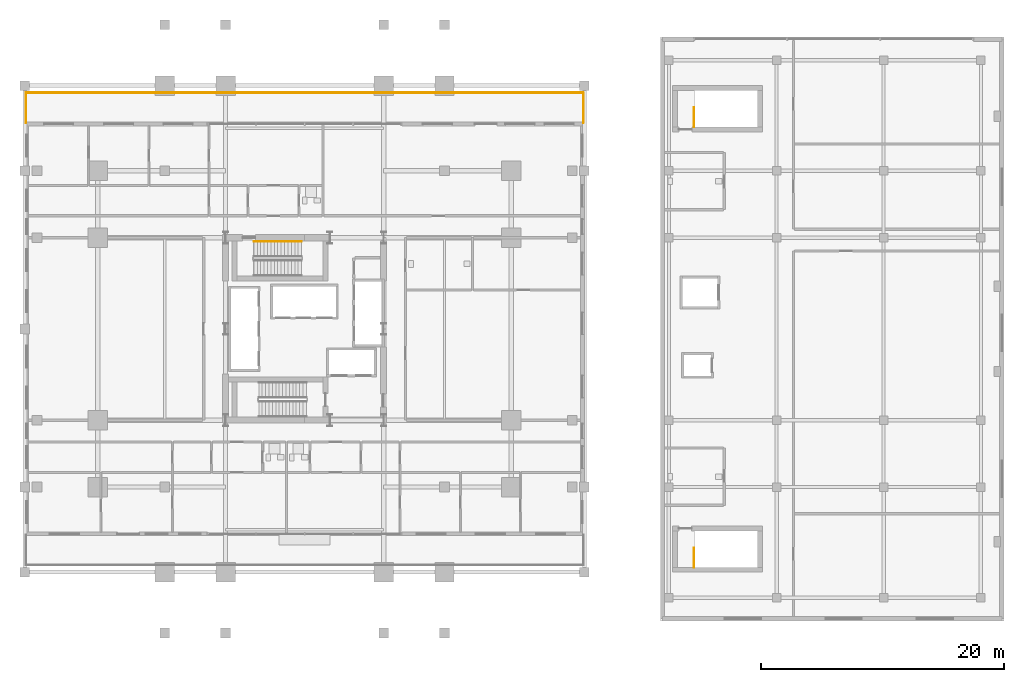
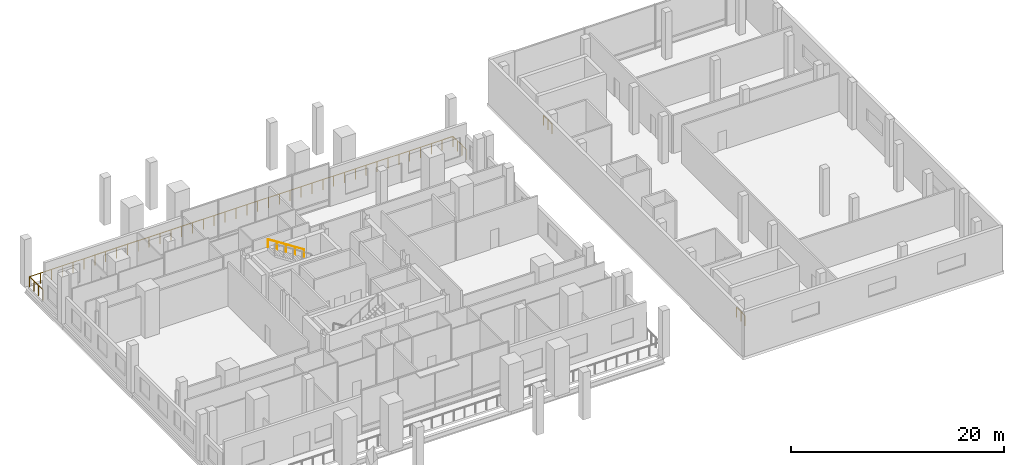
# One storey, part 24 of 25: 4 railings.
"""IFC4 building model written with IfcOpenShell, lengths in metres."""

import ifcopenshell
import ifcopenshell.guid

model = None  # the IFC model being written
_history = None  # IfcOwnerHistory: only IFC2X3 demands one
_inside = {}  # id of a spatial element -> (the spatial element, [elements in it])
_under = {}  # id of a project, library or spatial element -> (it, [spatial elements below it])
_declared = {}  # id of a project -> (the project, [libraries it declares])
_typed = {}  # id of a type object -> (the type object, [elements of that type])
_made_of = {}  # id of a material, layer set ... -> (it, [elements and type objects made of it])


def new_model(schema):
    """Start an empty IFC model of exactly this schema.

    Asked for "IFC4X3", IfcOpenShell would pick the latest addendum, in which some entities
    have other attributes; the version numbers below select the first issue.
    IFC2X3 requires an IfcOwnerHistory on every rooted entity: one is made here for all.
    """
    global model, _history
    if schema == "IFC4X3":
        model = ifcopenshell.file(schema_version=(4, 3, 0, 0))
    else:
        model = ifcopenshell.file(schema=schema)
    _inside.clear()
    _under.clear()
    _declared.clear()
    _typed.clear()
    _made_of.clear()
    _history = None
    if model.schema == "IFC2X3":
        org = make("IfcOrganization", Name="unknown")
        user = make(
            "IfcPersonAndOrganization",
            ThePerson=make("IfcPerson", FamilyName="unknown"),
            TheOrganization=org,
        )
        app = make(
            "IfcApplication",
            ApplicationDeveloper=org,
            Version="unknown",
            ApplicationFullName="unknown",
            ApplicationIdentifier="unknown",
        )
        _history = make(
            "IfcOwnerHistory",
            OwningUser=user,
            OwningApplication=app,
            ChangeAction="ADDED",
            CreationDate=0,
        )
    return model


def make(cls, **values):
    """One entity of the class cls with the attributes given. An attribute that is None is left unset."""
    return model.create_entity(
        cls, **{name: value for name, value in values.items() if value is not None}
    )


def rooted(cls, **values):
    """An entity with a GlobalId (a new one), such as an element, a storey or a relation."""
    return make(cls, GlobalId=ifcopenshell.guid.new(), OwnerHistory=_history, **values)


def si_unit(unit_type, name, prefix=None):
    """IfcSIUnit, for example si_unit("LENGTHUNIT", "METRE", prefix="MILLI")."""
    return make("IfcSIUnit", UnitType=unit_type, Prefix=prefix, Name=name)


def assignment(units):
    """IfcUnitAssignment: the units of a project."""
    return None if units is None else make("IfcUnitAssignment", Units=units)


def point(xyz):
    """IfcCartesianPoint."""
    return None if xyz is None else make("IfcCartesianPoint", Coordinates=xyz)


def direction(xyz):
    """IfcDirection."""
    return None if xyz is None else make("IfcDirection", DirectionRatios=xyz)


def frame(location, z_axis=None, x_axis=None):
    """IfcAxis2Placement3D, a coordinate frame: its origin and axes. An axis left out is left unset."""
    return make(
        "IfcAxis2Placement3D",
        Location=point(location),
        Axis=direction(z_axis),
        RefDirection=direction(x_axis),
    )


def frame_2d(location, x_axis=None):
    """IfcAxis2Placement2D, a coordinate frame in the plane: its origin and x axis."""
    return make(
        "IfcAxis2Placement2D", Location=point(location), RefDirection=direction(x_axis)
    )


def origin():
    """The frame at (0, 0, 0) with its axes left unset."""
    return frame((0.0, 0.0, 0.0))


def origin_2d():
    """The frame at (0, 0) in the plane with its x axis left unset."""
    return frame_2d((0.0, 0.0))


def place(relative_to, where):
    """IfcLocalPlacement: puts the frame where relative to a parent placement (None: the world)."""
    return make(
        "IfcLocalPlacement", PlacementRelTo=relative_to, RelativePlacement=where
    )


def context(
    kind, dimensions, precision=None, world=None, true_north=None, identifier=None
):
    """IfcGeometricRepresentationContext, for example the 3D "Model" context."""
    return make(
        "IfcGeometricRepresentationContext",
        ContextIdentifier=identifier,
        ContextType=kind,
        CoordinateSpaceDimension=dimensions,
        Precision=precision,
        WorldCoordinateSystem=world,
        TrueNorth=true_north,
    )


def subcontext(parent, identifier, kind, view, scale=None):
    """IfcGeometricRepresentationSubContext, for example "Body" below "Model"."""
    return make(
        "IfcGeometricRepresentationSubContext",
        ContextIdentifier=identifier,
        ContextType=kind,
        ParentContext=parent,
        TargetScale=scale,
        TargetView=view,
    )


def project(units=None, contexts=None):
    """IfcProject with its units and contexts."""
    return rooted(
        "IfcProject",
        Name="project",
        RepresentationContexts=contexts,
        UnitsInContext=assignment(units),
    )


def spatial(cls, under=None, at=None, **own):
    """A site, building, storey or space (cls), placed at a placement, below another one or the project."""
    s = rooted(cls, ObjectPlacement=at, **own)
    if under is not None:
        _under.setdefault(under.id(), (under, []))[1].append(s)
    return s


def profile(cls, at=None, kind="AREA", **sizes):
    """A parametric profile (cls). Its sizes go by their IFC names, for example OverallWidth=200.0."""
    return make(cls, ProfileType=kind, Position=at, **sizes)


def circle(**sizes):
    """IfcCircleProfileDef."""
    return profile("IfcCircleProfileDef", **sizes)


def extrude(swept, where, along, depth):
    """IfcExtrudedAreaSolid: the profile swept, set in the frame where, extruded along a direction by depth."""
    return make(
        "IfcExtrudedAreaSolid",
        SweptArea=swept,
        Position=where,
        ExtrudedDirection=direction(along),
        Depth=depth,
    )


def shape(context_of_items, identifier, shape_type, items):
    """IfcShapeRepresentation: the items that make up one representation, for example the "Body"."""
    return make(
        "IfcShapeRepresentation",
        ContextOfItems=context_of_items,
        RepresentationIdentifier=identifier,
        RepresentationType=shape_type,
        Items=items,
    )


def material(Name=None, Category=None):
    """IfcMaterial."""
    return make("IfcMaterial", Name=Name, Category=Category)


def made_of(thing, what):
    """Note that an element or type object is made of a material, layer set ...; save() writes the relation."""
    if what is not None:
        _made_of.setdefault(what.id(), (what, []))[1].append(thing)
    return thing


def type_object(cls, material=None, **own):
    """A type object (cls), such as IfcWallType, which elements share."""
    return made_of(rooted(cls, **own), material)


def element(
    cls,
    number,
    at=None,
    inside=None,
    cuts=None,
    type_object=None,
    material=None,
    context=None,
    identifier="Body",
    shape_type=None,
    held_by="IfcProductDefinitionShape",
    body=None,
    shapes=None,
    **own,
):
    """One element of the class cls, such as IfcWall. Its Tag is "e" and its number.

    at: its placement. inside: the storey or other place that contains it. cuts: it is an
    opening in that element (IfcRelVoidsElement). A single representation is given by context,
    identifier, shape_type and body (its items); several are given by shapes. held_by: the class
    of the entity that holds the representations. save() writes the other relations.
    """
    e = rooted(cls, Tag="e%d" % number, ObjectPlacement=at, **own)
    if body is not None:
        shapes = [shape(context, identifier, shape_type, body)]
    if shapes is not None:
        e.Representation = make(held_by, Representations=shapes)
    if inside is not None:
        _inside.setdefault(inside.id(), (inside, []))[1].append(e)
    if cuts is not None:
        rooted(
            "IfcRelVoidsElement", RelatingBuildingElement=cuts, RelatedOpeningElement=e
        )
    if type_object is not None:
        _typed.setdefault(type_object.id(), (type_object, []))[1].append(e)
    return made_of(e, material)


def aggregate(whole, parts):
    """IfcRelAggregates: a whole, such as a stair, and the parts it consists of."""
    return rooted("IfcRelAggregates", RelatingObject=whole, RelatedObjects=parts)


def save(model, path):
    """Write the relations noted so far, then the file.

    IfcRelAggregates (storeys below a building ...), IfcRelContainedInSpatialStructure (elements
    in a storey), IfcRelDefinesByType, IfcRelAssociatesMaterial and IfcRelDeclares: one each for
    every whole, place, type object, material and project.
    """
    for whole, parts in _under.values():
        aggregate(whole, parts)
    for where, things in _inside.values():
        rooted(
            "IfcRelContainedInSpatialStructure",
            RelatedElements=things,
            RelatingStructure=where,
        )
    for kind, things in _typed.values():
        rooted("IfcRelDefinesByType", RelatedObjects=things, RelatingType=kind)
    for what, things in _made_of.values():
        rooted("IfcRelAssociatesMaterial", RelatedObjects=things, RelatingMaterial=what)
    for by, libraries in _declared.values():
        rooted("IfcRelDeclares", RelatingContext=by, RelatedDefinitions=libraries)
    model.write(path)


model = new_model("IFC4")

# Units and contexts
model_context = context("Model", 3, precision=1e-05, world=origin(), true_north=direction((0.0, 1.0)))
body_context = subcontext(model_context, "Body", "Model", "MODEL_VIEW")
ifc_project = project(units=[si_unit("LENGTHUNIT", "METRE"), si_unit("AREAUNIT", "SQUARE_METRE"), si_unit("VOLUMEUNIT", "CUBIC_METRE"), si_unit("PLANEANGLEUNIT", "RADIAN"), si_unit("MASSUNIT", "GRAM", prefix="KILO")], contexts=[model_context])

# Site, building, storey
site_placement = place(None, origin())
site = spatial("IfcSite", under=ifc_project, at=site_placement, CompositionType="ELEMENT")
building_placement = place(site_placement, origin())
building = spatial("IfcBuilding", under=site, at=building_placement, Name="Barlavira Tower and Art Museum", CompositionType="ELEMENT")
storey_placement = place(building_placement, frame((0.0, 0.0, 22.199951171875)))
storey = spatial("IfcBuildingStorey", under=building, at=storey_placement, Name="L04", CompositionType="ELEMENT", Elevation=22.199951171875)

# Railings
ifc_material_1 = material(Name="Brushed stainless steel", Category="steel")
railing_type_1 = type_object("IfcRailingType", Name="Interior Void and Landing Guard Railing 1150", PredefinedType="GUARDRAIL", material=ifc_material_1)
railing_1_placement = place(storey_placement, frame((32.02001953125, -19.60009765625, 0.0)))
element("IfcRailing", 1, at=railing_1_placement, inside=storey, type_object=railing_type_1, Name="L04 ST-M1 top well guard 1", PredefinedType="GUARDRAIL", context=body_context, shape_type="SweptSolid", body=[
    extrude(circle(Radius=0.02392578125, at=origin_2d()), frame((0.0, 0.0, 1.1259765625), z_axis=(0.0, 1.0, 0.0), x_axis=(-1.0, 0.0, 0.0)), (0.0, 0.0, 1.0), 1.60009765625),
    extrude(circle(Radius=0.02099609375, at=origin_2d()), origin(), (0.0, 0.0, 1.0), 1.101806640625),
    extrude(circle(Radius=0.02099609375, at=origin_2d()), frame((0.0, 0.800048828125, 0.0)), (0.0, 0.0, 1.0), 1.101806640625),
    extrude(circle(Radius=0.02099609375, at=origin_2d()), frame((0.0, 1.60009765625, 0.0)), (0.0, 0.0, 1.0), 1.101806640625),
])
railing_2_placement = place(storey_placement, frame((32.02001953125, 16.60009765625, 0.0)))
element("IfcRailing", 2, at=railing_2_placement, inside=storey, type_object=railing_type_1, Name="L04 ST-M2 top well guard 1", PredefinedType="GUARDRAIL", context=body_context, shape_type="SweptSolid", body=[
    extrude(circle(Radius=0.02392578125, at=origin_2d()), frame((0.0, 0.0, 1.1259765625), z_axis=(0.0, 1.0, 0.0), x_axis=(-1.0, 0.0, 0.0)), (0.0, 0.0, 1.0), 1.599853515625),
    extrude(circle(Radius=0.02099609375, at=origin_2d()), origin(), (0.0, 0.0, 1.0), 1.101806640625),
    extrude(circle(Radius=0.02099609375, at=origin_2d()), frame((0.0, 0.7998046875, 0.0)), (0.0, 0.0, 1.0), 1.101806640625),
    extrude(circle(Radius=0.02099609375, at=origin_2d()), frame((0.0, 1.599853515625, 0.0)), (0.0, 0.0, 1.0), 1.101806640625),
])
railing_type_2 = type_object("IfcRailingType", Name="Stair Pitch Tubular Steel Handrail 920", PredefinedType="HANDRAIL", material=ifc_material_1)
railing_3_placement = place(storey_placement, frame((-0.25, 7.199951171875, 2.880126953125)))
element("IfcRailing", 3, at=railing_3_placement, inside=storey, type_object=railing_type_2, Name="L04 ST-T2 stair handrail 2", PredefinedType="HANDRAIL", context=body_context, shape_type="SweptSolid", body=[
    extrude(circle(Radius=0.02392578125, at=origin_2d()), frame((0.0, 0.0, 0.8759765625), z_axis=(-0.841171666519, 0.0, 0.540768182723), x_axis=(0.0, -1.0, 0.0)), (0.0, 0.0, 1.0), 4.66015625),
    extrude(circle(Radius=0.02099609375, at=origin_2d()), origin(), (0.0, 0.0, 1.0), 0.851806640625),
    extrude(circle(Radius=0.02099609375, at=origin_2d()), frame((-0.97998046875, 0.0, 0.6298828125)), (0.0, 0.0, 1.0), 0.851806640625),
    extrude(circle(Radius=0.02099609375, at=origin_2d()), frame((-1.9599609375, 0.0, 1.260009765625)), (0.0, 0.0, 1.0), 0.851806640625),
    extrude(circle(Radius=0.02099609375, at=origin_2d()), frame((-2.93994140625, 0.0, 1.89013671875)), (0.0, 0.0, 1.0), 0.851806640625),
    extrude(circle(Radius=0.02099609375, at=origin_2d()), frame((-3.919921875, 0.0, 2.52001953125)), (0.0, 0.0, 1.0), 0.851806640625),
])
ifc_material_2 = material(Name="Laminated safety glass and stainless steel", Category="steel")
railing_type_3 = type_object("IfcRailingType", Name="Terrace and Wind-Floor Laminated Glass Balustrade 1200", PredefinedType="BALUSTRADE", material=ifc_material_2)
railing_4_placement = place(storey_placement, frame((-22.919921875, 16.949951171875, 0.0)))
element("IfcRailing", 4, at=railing_4_placement, inside=storey, type_object=railing_type_3, Name="L04 North Cascade Terrace Balustrade", PredefinedType="BALUSTRADE", context=body_context, shape_type="SweptSolid", body=[
    extrude(circle(Radius=0.02392578125, at=origin_2d()), frame((0.0, 0.0, 1.17578125), z_axis=(0.0, 1.0, 0.0), x_axis=(-1.0, 0.0, 0.0)), (0.0, 0.0, 1.0), 2.469970703125),
    extrude(circle(Radius=0.02392578125, at=origin_2d()), frame((0.0, 2.469970703125, 1.17578125), z_axis=(1.0, 0.0, 0.0), x_axis=(0.0, 1.0, 0.0)), (0.0, 0.0, 1.0), 45.83984375),
    extrude(circle(Radius=0.02392578125, at=origin_2d()), frame((45.83984375, 2.469970703125, 1.17578125), z_axis=(0.0, -1.0, 0.0), x_axis=(1.0, 0.0, 0.0)), (0.0, 0.0, 1.0), 2.469970703125),
    extrude(circle(Radius=0.02099609375, at=origin_2d()), origin(), (0.0, 0.0, 1.0), 1.15185546875),
    extrude(circle(Radius=0.02099609375, at=origin_2d()), frame((0.0, 0.8232421875, 0.0)), (0.0, 0.0, 1.0), 1.15185546875),
    extrude(circle(Radius=0.02099609375, at=origin_2d()), frame((0.0, 1.646728515625, 0.0)), (0.0, 0.0, 1.0), 1.15185546875),
    extrude(circle(Radius=0.02099609375, at=origin_2d()), frame((0.0, 2.469970703125, 0.0)), (0.0, 0.0, 1.0), 1.15185546875),
    extrude(circle(Radius=0.02099609375, at=origin_2d()), frame((1.17529296875, 2.469970703125, 0.0)), (0.0, 0.0, 1.0), 1.15185546875),
    extrude(circle(Radius=0.02099609375, at=origin_2d()), frame((2.350830078125, 2.469970703125, 0.0)), (0.0, 0.0, 1.0), 1.15185546875),
    extrude(circle(Radius=0.02099609375, at=origin_2d()), frame((3.526123046875, 2.469970703125, 0.0)), (0.0, 0.0, 1.0), 1.15185546875),
    extrude(circle(Radius=0.02099609375, at=origin_2d()), frame((4.701416015625, 2.469970703125, 0.0)), (0.0, 0.0, 1.0), 1.15185546875),
    extrude(circle(Radius=0.02099609375, at=origin_2d()), frame((5.876953125, 2.469970703125, 0.0)), (0.0, 0.0, 1.0), 1.15185546875),
    extrude(circle(Radius=0.02099609375, at=origin_2d()), frame((7.05224609375, 2.469970703125, 0.0)), (0.0, 0.0, 1.0), 1.15185546875),
    extrude(circle(Radius=0.02099609375, at=origin_2d()), frame((8.227783203125, 2.469970703125, 0.0)), (0.0, 0.0, 1.0), 1.15185546875),
    extrude(circle(Radius=0.02099609375, at=origin_2d()), frame((9.403076171875, 2.469970703125, 0.0)), (0.0, 0.0, 1.0), 1.15185546875),
    extrude(circle(Radius=0.02099609375, at=origin_2d()), frame((10.578369140625, 2.469970703125, 0.0)), (0.0, 0.0, 1.0), 1.15185546875),
    extrude(circle(Radius=0.02099609375, at=origin_2d()), frame((11.75390625, 2.469970703125, 0.0)), (0.0, 0.0, 1.0), 1.15185546875),
    extrude(circle(Radius=0.02099609375, at=origin_2d()), frame((12.92919921875, 2.469970703125, 0.0)), (0.0, 0.0, 1.0), 1.15185546875),
    extrude(circle(Radius=0.02099609375, at=origin_2d()), frame((14.1044921875, 2.469970703125, 0.0)), (0.0, 0.0, 1.0), 1.15185546875),
    extrude(circle(Radius=0.02099609375, at=origin_2d()), frame((15.280029296875, 2.469970703125, 0.0)), (0.0, 0.0, 1.0), 1.15185546875),
    extrude(circle(Radius=0.02099609375, at=origin_2d()), frame((16.455322265625, 2.469970703125, 0.0)), (0.0, 0.0, 1.0), 1.15185546875),
    extrude(circle(Radius=0.02099609375, at=origin_2d()), frame((17.630615234375, 2.469970703125, 0.0)), (0.0, 0.0, 1.0), 1.15185546875),
    extrude(circle(Radius=0.02099609375, at=origin_2d()), frame((18.80615234375, 2.469970703125, 0.0)), (0.0, 0.0, 1.0), 1.15185546875),
    extrude(circle(Radius=0.02099609375, at=origin_2d()), frame((19.9814453125, 2.469970703125, 0.0)), (0.0, 0.0, 1.0), 1.15185546875),
    extrude(circle(Radius=0.02099609375, at=origin_2d()), frame((21.15673828125, 2.469970703125, 0.0)), (0.0, 0.0, 1.0), 1.15185546875),
    extrude(circle(Radius=0.02099609375, at=origin_2d()), frame((22.332275390625, 2.469970703125, 0.0)), (0.0, 0.0, 1.0), 1.15185546875),
    extrude(circle(Radius=0.02099609375, at=origin_2d()), frame((23.507568359375, 2.469970703125, 0.0)), (0.0, 0.0, 1.0), 1.15185546875),
    extrude(circle(Radius=0.02099609375, at=origin_2d()), frame((24.68310546875, 2.469970703125, 0.0)), (0.0, 0.0, 1.0), 1.15185546875),
    extrude(circle(Radius=0.02099609375, at=origin_2d()), frame((25.8583984375, 2.469970703125, 0.0)), (0.0, 0.0, 1.0), 1.15185546875),
    extrude(circle(Radius=0.02099609375, at=origin_2d()), frame((27.03369140625, 2.469970703125, 0.0)), (0.0, 0.0, 1.0), 1.15185546875),
    extrude(circle(Radius=0.02099609375, at=origin_2d()), frame((28.209228515625, 2.469970703125, 0.0)), (0.0, 0.0, 1.0), 1.15185546875),
    extrude(circle(Radius=0.02099609375, at=origin_2d()), frame((29.384521484375, 2.469970703125, 0.0)), (0.0, 0.0, 1.0), 1.15185546875),
    extrude(circle(Radius=0.02099609375, at=origin_2d()), frame((30.559814453125, 2.469970703125, 0.0)), (0.0, 0.0, 1.0), 1.15185546875),
    extrude(circle(Radius=0.02099609375, at=origin_2d()), frame((31.7353515625, 2.469970703125, 0.0)), (0.0, 0.0, 1.0), 1.15185546875),
    extrude(circle(Radius=0.02099609375, at=origin_2d()), frame((32.91064453125, 2.469970703125, 0.0)), (0.0, 0.0, 1.0), 1.15185546875),
    extrude(circle(Radius=0.02099609375, at=origin_2d()), frame((34.0859375, 2.469970703125, 0.0)), (0.0, 0.0, 1.0), 1.15185546875),
    extrude(circle(Radius=0.02099609375, at=origin_2d()), frame((35.261474609375, 2.469970703125, 0.0)), (0.0, 0.0, 1.0), 1.15185546875),
    extrude(circle(Radius=0.02099609375, at=origin_2d()), frame((36.436767578125, 2.469970703125, 0.0)), (0.0, 0.0, 1.0), 1.15185546875),
    extrude(circle(Radius=0.02099609375, at=origin_2d()), frame((37.612060546875, 2.469970703125, 0.0)), (0.0, 0.0, 1.0), 1.15185546875),
    extrude(circle(Radius=0.02099609375, at=origin_2d()), frame((38.78759765625, 2.469970703125, 0.0)), (0.0, 0.0, 1.0), 1.15185546875),
    extrude(circle(Radius=0.02099609375, at=origin_2d()), frame((39.962890625, 2.469970703125, 0.0)), (0.0, 0.0, 1.0), 1.15185546875),
    extrude(circle(Radius=0.02099609375, at=origin_2d()), frame((41.138427734375, 2.469970703125, 0.0)), (0.0, 0.0, 1.0), 1.15185546875),
    extrude(circle(Radius=0.02099609375, at=origin_2d()), frame((42.313720703125, 2.469970703125, 0.0)), (0.0, 0.0, 1.0), 1.15185546875),
    extrude(circle(Radius=0.02099609375, at=origin_2d()), frame((43.489013671875, 2.469970703125, 0.0)), (0.0, 0.0, 1.0), 1.15185546875),
    extrude(circle(Radius=0.02099609375, at=origin_2d()), frame((44.66455078125, 2.469970703125, 0.0)), (0.0, 0.0, 1.0), 1.15185546875),
    extrude(circle(Radius=0.02099609375, at=origin_2d()), frame((45.83984375, 2.469970703125, 0.0)), (0.0, 0.0, 1.0), 1.15185546875),
    extrude(circle(Radius=0.02099609375, at=origin_2d()), frame((45.83984375, 1.646728515625, 0.0)), (0.0, 0.0, 1.0), 1.15185546875),
    extrude(circle(Radius=0.02099609375, at=origin_2d()), frame((45.83984375, 0.8232421875, 0.0)), (0.0, 0.0, 1.0), 1.15185546875),
    extrude(circle(Radius=0.02099609375, at=origin_2d()), frame((45.83984375, 0.0, 0.0)), (0.0, 0.0, 1.0), 1.15185546875),
])

save(model, "model.ifc")
